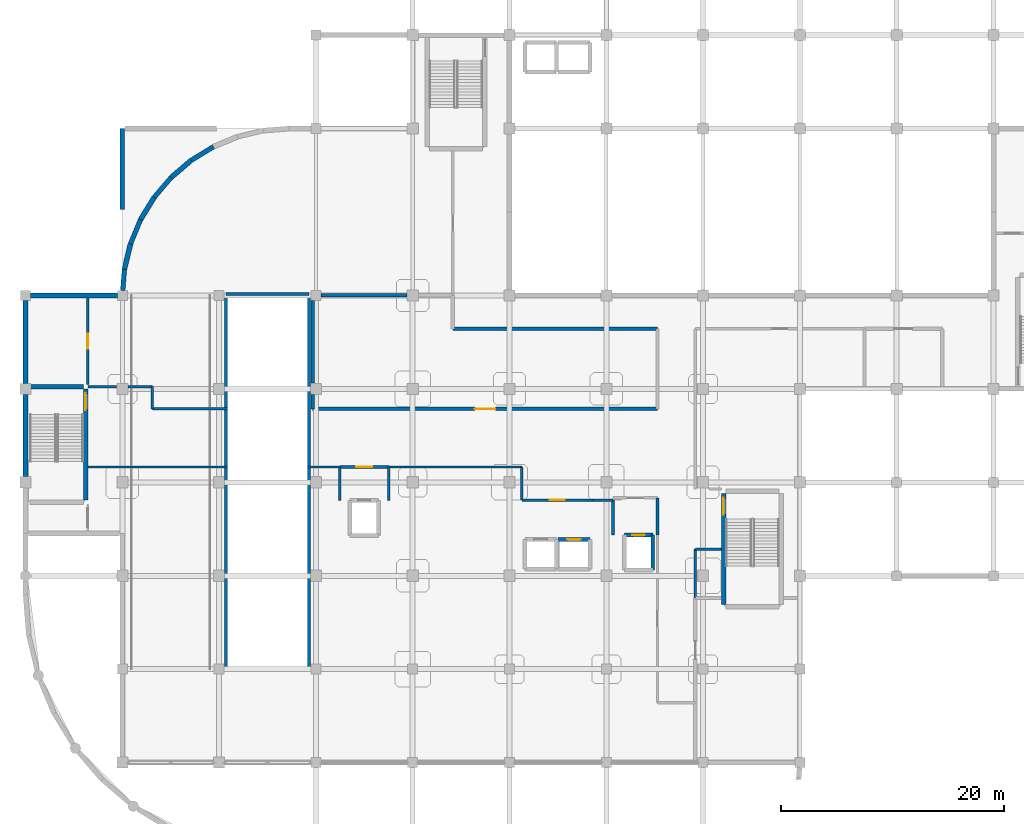
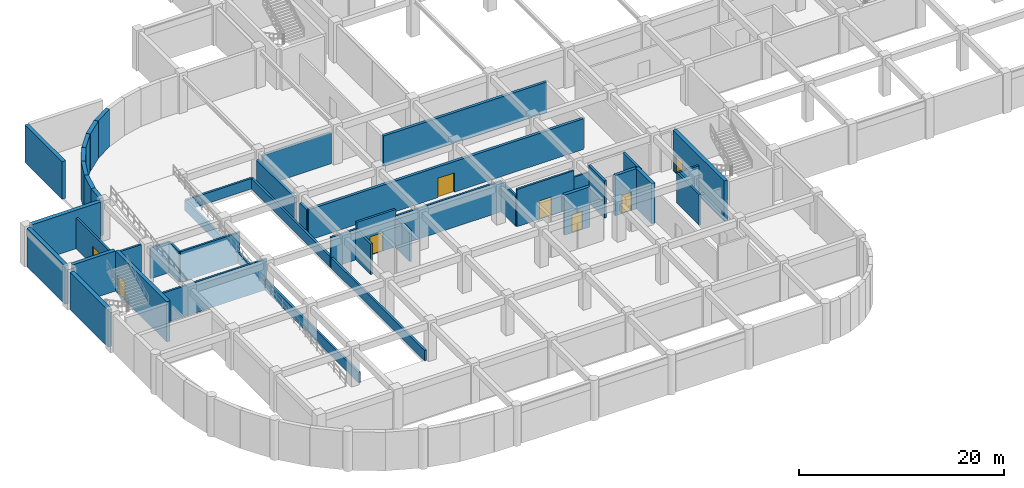
# One storey, part 11 of 19: 43 walls, 8 doors, 8 openings.
"""IFC4 building model written with IfcOpenShell, lengths in metres."""

from ifc_helpers import new_model, si_unit, derived_unit, direction, frame, frame_2d, origin, place, context, subcontext, project, spatial, rectangle, extrude, material, layer, layer_set, type_object, element, fill, save


model = new_model("IFC4")

# Units and contexts
model_context = context("Model", 3, precision=1e-05, world=origin(), true_north=direction((0.0, 1.0)))
body_context = subcontext(model_context, "Body", "Model", "MODEL_VIEW")
ifc_project = project(units=[si_unit("LENGTHUNIT", "METRE"), si_unit("AREAUNIT", "SQUARE_METRE"), si_unit("VOLUMEUNIT", "CUBIC_METRE"), si_unit("PLANEANGLEUNIT", "RADIAN"), si_unit("MASSUNIT", "GRAM", prefix="KILO"), derived_unit("THERMALTRANSMITTANCEUNIT", [(si_unit("MASSUNIT", "GRAM", prefix="KILO"), 1), (si_unit("TIMEUNIT", "SECOND"), -3), (si_unit("THERMODYNAMICTEMPERATUREUNIT", "KELVIN"), -1)])], contexts=[model_context])

# Site, building, storey
site_placement = place(None, origin())
site = spatial("IfcSite", under=ifc_project, at=site_placement, CompositionType="ELEMENT")
building_placement = place(site_placement, origin())
building = spatial("IfcBuilding", under=site, at=building_placement, Name="Qinzheling Arcade Emporium", CompositionType="ELEMENT")
storey_placement = place(building_placement, frame((0.0, 0.0, -4.800048828125)))
storey = spatial("IfcBuildingStorey", under=building, at=storey_placement, Name="B1", CompositionType="ELEMENT", Elevation=-4.800048828125)

# Wall, opening, door
ifc_material_1 = material(Name="Double-stud acoustic gypsum board partition")
ifc_layer_1 = layer(ifc_material_1, 0.215087890625, Name="Double-stud acoustic gypsum board partition")
ifc_layer_set_1 = layer_set([ifc_layer_1], Name="Double-stud acoustic gypsum board partition")
wall_type_1 = type_object("IfcWallType", Name="Acoustic Corridor Partition Wall 215", PredefinedType="PARTITIONING", material=ifc_layer_set_1)
wall_1_placement = place(storey_placement, frame((44.60009765625, 32.0, 0.0), z_axis=(0.0, 0.0, 1.0), x_axis=(1.0, 0.0, 0.0)))
wall_1 = element("IfcWall", 1, at=wall_1_placement, inside=storey, type_object=wall_type_1, Name="Interior Wall WL-B1-INT-0007", PredefinedType="PARTITIONING", context=body_context, shape_type="SweptSolid", body=[
    extrude(rectangle(XDim=6.39990234375, YDim=0.215087890625, at=frame_2d((3.199951171875, 0.0))), origin(), (0.0, 0.0, 1.0), 4.43994140625),
])
opening_1_placement = place(wall_1_placement, frame((2.52490234375, 0.0, 0.0)))
opening_1 = element("IfcOpeningElement", 2, at=opening_1_placement, cuts=wall_1, Name="Opening FD05", PredefinedType="OPENING", context=body_context, shape_type="SweptSolid", body=[
    extrude(rectangle(XDim=1.35009765625, YDim=2.199951171875, at=frame_2d((0.675048828125, 1.10009765625))), frame((0.0, 0.11767578125, 0.0), z_axis=(0.0, -1.0, 0.0), x_axis=(1.0, 0.0, 0.0)), (0.0, 0.0, 1.0), 0.235107421875),
])
ifc_material_2 = material(Name="Class B fire-rated stainless-clad door")
door_type_1 = type_object("IfcDoorType", Name="Kitchen Fire-Rated Service Door 1350x2200", OperationType="NOTDEFINED", PredefinedType="DOOR", material=ifc_material_2)
door_1_placement = place(opening_1_placement, origin())
door_1 = element("IfcDoor", 3, at=door_1_placement, inside=storey, type_object=door_type_1, Name="FD05 Interior Door DR-B1-INT-0003", OperationType="SINGLE_SWING_LEFT", OverallHeight=2.199951171875, OverallWidth=1.35009765625, PredefinedType="DOOR", context=body_context, shape_type="SweptSolid", body=[
    extrude(rectangle(XDim=1.35009765625, YDim=2.199951171875, at=frame_2d((0.675048828125, 1.10009765625))), frame((0.0, 0.02490234375, 0.0), z_axis=(0.0, -1.0, 0.0), x_axis=(1.0, 0.0, 0.0)), (0.0, 0.0, 1.0), 0.050048828125),
])
fill(opening_1, door_1)

# Walls
wall_2_placement = place(storey_placement, frame((62.544921875, 27.60009765625, 0.0), z_axis=(0.0, 0.0, 1.0), x_axis=(-1.0, 0.0, 0.0)))
element("IfcWall", 4, at=wall_2_placement, inside=storey, type_object=wall_type_1, Name="Interior Wall WL-B1-INT-0017", PredefinedType="PARTITIONING", context=body_context, shape_type="SweptSolid", body=[
    extrude(rectangle(XDim=2.344970703125, YDim=0.215087890625, at=frame_2d((1.17236328125, 0.0))), origin(), (0.0, 0.0, 1.0), 3.650146484375),
])
wall_3_placement = place(storey_placement, frame((60.199951171875, 27.60009765625, 0.0), z_axis=(0.0, 0.0, 1.0), x_axis=(0.0, -1.0, 0.0)))
element("IfcWall", 5, at=wall_3_placement, inside=storey, type_object=wall_type_1, Name="Interior Wall WL-B1-INT-0018", PredefinedType="PARTITIONING", context=body_context, shape_type="SweptSolid", body=[
    extrude(rectangle(XDim=4.400146484375, YDim=0.215087890625, at=frame_2d((2.2001953125, 0.0))), origin(), (0.0, 0.0, 1.0), 3.650146484375),
])
wall_4_placement = place(storey_placement, frame((28.25, 34.97998046875, 0.0), z_axis=(0.0, 0.0, 1.0), x_axis=(-1.0, 0.0, 0.0)))
element("IfcWall", 6, at=wall_4_placement, inside=storey, type_object=wall_type_1, Name="Interior Wall WL-B1-INT-0022", PredefinedType="PARTITIONING", context=body_context, shape_type="SweptSolid", body=[
    extrude(rectangle(XDim=2.889892578125, YDim=0.215087890625, at=frame_2d((1.44482421875, 0.0))), origin(), (0.0, 0.0, 1.0), 3.650146484375),
])
wall_5_placement = place(storey_placement, frame((44.60009765625, 32.0, 0.0), z_axis=(0.0, 0.0, 1.0), x_axis=(0.0, 1.0, 0.0)))
element("IfcWall", 7, at=wall_5_placement, inside=storey, type_object=wall_type_1, Name="Interior Wall WL-B1-INT-0023", PredefinedType="PARTITIONING", context=body_context, shape_type="SweptSolid", body=[
    extrude(rectangle(XDim=2.97998046875, YDim=0.215087890625, at=frame_2d((1.489990234375, 0.0))), origin(), (0.0, 0.0, 1.0), 3.650146484375),
])
wall_6_placement = place(storey_placement, frame((44.60009765625, 34.97998046875, 0.0), z_axis=(0.0, 0.0, 1.0), x_axis=(-1.0, 0.0, 0.0)))
element("IfcWall", 8, at=wall_6_placement, inside=storey, type_object=wall_type_1, Name="Interior Wall WL-B1-INT-0024", PredefinedType="PARTITIONING", context=body_context, shape_type="SweptSolid", body=[
    extrude(rectangle(XDim=11.9501953125, YDim=0.215087890625, at=frame_2d((5.97509765625, 0.0))), origin(), (0.0, 0.0, 1.0), 3.650146484375),
])
wall_7_placement = place(storey_placement, frame((52.800048828125, 32.0, 0.0), z_axis=(0.0, 0.0, 1.0), x_axis=(-1.0, 0.0, 0.0)))
element("IfcWall", 9, at=wall_7_placement, inside=storey, type_object=wall_type_1, Name="Interior Wall WL-B1-INT-0025", PredefinedType="PARTITIONING", context=body_context, shape_type="SweptSolid", body=[
    extrude(rectangle(XDim=1.800048828125, YDim=0.215087890625, at=frame_2d((0.89990234375, 0.0))), origin(), (0.0, 0.0, 1.0), 3.650146484375),
])
wall_8_placement = place(storey_placement, frame((18.139892578125, 34.97998046875, 0.0), z_axis=(0.0, 0.0, 1.0), x_axis=(-1.0, 0.0, 0.0)))
element("IfcWall", 10, at=wall_8_placement, inside=storey, type_object=wall_type_1, Name="Interior Wall WL-B1-INT-0029", PredefinedType="PARTITIONING", context=body_context, shape_type="SweptSolid", body=[
    extrude(rectangle(XDim=12.544921875, YDim=0.215087890625, at=frame_2d((6.2724609375, 0.0))), origin(), (0.0, 0.0, 1.0), 3.650146484375),
])
wall_9_placement = place(storey_placement, frame((5.590087890625, 42.199951171875, 0.0), z_axis=(0.0, 0.0, 1.0), x_axis=(1.0, 0.0, 0.0)))
element("IfcWall", 11, at=wall_9_placement, inside=storey, type_object=wall_type_1, Name="Interior Wall WL-B1-INT-0030", PredefinedType="PARTITIONING", context=body_context, shape_type="SweptSolid", body=[
    extrude(rectangle(XDim=2.599853515625, YDim=0.215087890625, at=frame_2d((1.2998046875, 0.0))), origin(), (0.0, 0.0, 1.0), 4.43994140625),
])
wall_10_placement = place(storey_placement, frame((9.2099609375, 42.199951171875, 0.0), z_axis=(0.0, 0.0, 1.0), x_axis=(1.0, 0.0, 0.0)))
element("IfcWall", 12, at=wall_10_placement, inside=storey, type_object=wall_type_1, Name="Interior Wall WL-B1-INT-0031", PredefinedType="PARTITIONING", context=body_context, shape_type="SweptSolid", body=[
    extrude(rectangle(XDim=2.18994140625, YDim=0.215087890625, at=frame_2d((1.094970703125, 0.0))), origin(), (0.0, 0.0, 1.0), 3.650146484375),
])
wall_11_placement = place(storey_placement, frame((11.39990234375, 42.199951171875, 0.0), z_axis=(0.0, 0.0, 1.0), x_axis=(0.0, -1.0, 0.0)))
element("IfcWall", 13, at=wall_11_placement, inside=storey, type_object=wall_type_1, Name="Interior Wall WL-B1-INT-0032", PredefinedType="PARTITIONING", context=body_context, shape_type="SweptSolid", body=[
    extrude(rectangle(XDim=2.0, YDim=0.215087890625, at=frame_2d((1.0, 0.0))), origin(), (0.0, 0.0, 1.0), 3.650146484375),
])
wall_12_placement = place(storey_placement, frame((11.39990234375, 40.199951171875, 0.0), z_axis=(0.0, 0.0, 1.0), x_axis=(1.0, 0.0, 0.0)))
element("IfcWall", 14, at=wall_12_placement, inside=storey, type_object=wall_type_1, Name="Interior Wall WL-B1-INT-0033", PredefinedType="PARTITIONING", context=body_context, shape_type="SweptSolid", body=[
    extrude(rectangle(XDim=6.739990234375, YDim=0.215087890625, at=frame_2d((3.3701171875, 0.0))), origin(), (0.0, 0.0, 1.0), 3.650146484375),
])

# Wall, opening, door
wall_13_placement = place(storey_placement, frame((5.590087890625, 50.169921875, 0.0), z_axis=(0.0, 0.0, 1.0), x_axis=(0.0, -1.0, 0.0)))
wall_13 = element("IfcWall", 15, at=wall_13_placement, inside=storey, type_object=wall_type_1, Name="Interior Wall WL-B1-INT-0035", PredefinedType="PARTITIONING", context=body_context, shape_type="SweptSolid", body=[
    extrude(rectangle(XDim=7.77001953125, YDim=0.215087890625, at=frame_2d((3.885009765625, 0.0))), origin(), (0.0, 0.0, 1.0), 3.650146484375),
])
opening_2_placement = place(wall_13_placement, frame((3.2099609375, 0.0, 0.0)))
opening_2 = element("IfcOpeningElement", 16, at=opening_2_placement, cuts=wall_13, Name="Opening FD05", PredefinedType="OPENING", context=body_context, shape_type="SweptSolid", body=[
    extrude(rectangle(XDim=1.35009765625, YDim=2.199951171875, at=frame_2d((0.675048828125, 1.10009765625))), frame((0.0, 0.11767578125, 0.0), z_axis=(0.0, -1.0, 0.0), x_axis=(1.0, 0.0, 0.0)), (0.0, 0.0, 1.0), 0.235107421875),
])
door_2_placement = place(opening_2_placement, origin())
door_2 = element("IfcDoor", 17, at=door_2_placement, inside=storey, type_object=door_type_1, Name="FD05 Interior Door DR-B1-INT-0013", OperationType="SINGLE_SWING_RIGHT", OverallHeight=2.199951171875, OverallWidth=1.35009765625, PredefinedType="DOOR", context=body_context, shape_type="SweptSolid", body=[
    extrude(rectangle(XDim=1.35009765625, YDim=2.199951171875, at=frame_2d((0.675048828125, 1.10009765625))), frame((0.0, 0.02490234375, 0.0), z_axis=(0.0, -1.0, 0.0), x_axis=(1.0, 0.0, 0.0)), (0.0, 0.0, 1.0), 0.050048828125),
])
fill(opening_2, door_2)

# Walls
ifc_material_3 = material(Name="Concrete C40", Category="concrete")
ifc_layer_2 = layer(ifc_material_3, 0.419921875, Name="Concrete C40", Category="concrete")
ifc_layer_set_2 = layer_set([ifc_layer_2], Name="Concrete C40")
wall_type_2 = type_object("IfcWallType", Name="Basement Ramp Retaining Wall 420 C40", PredefinedType="USERDEFINED", material=ifc_layer_set_2)
wall_14_placement = place(storey_placement, frame((0.0, 42.501953125, 0.0), z_axis=(0.0, 0.0, 1.0), x_axis=(0.0, 1.0, 0.0)))
element("IfcWall", 18, at=wall_14_placement, inside=storey, type_object=wall_type_2, Name="Retaining Wall WL-B1-RW-198", ObjectType="RETAININGWALL", PredefinedType="USERDEFINED", context=body_context, shape_type="SweptSolid", body=[
    extrude(rectangle(XDim=7.446044921875, YDim=0.419921875, at=frame_2d((3.72314453125, 0.0))), origin(), (0.0, 0.0, 1.0), 4.580078125),
])
wall_15_placement = place(storey_placement, frame((8.736083984375, 50.85107421875, 0.0), z_axis=(0.0, 0.0, 1.0), x_axis=(0.078306322526, 0.996929345467, 0.0)))
element("IfcWall", 19, at=wall_15_placement, inside=storey, type_object=wall_type_2, Name="Retaining Wall WL-B1-RW-200", ObjectType="RETAININGWALL", PredefinedType="USERDEFINED", context=body_context, shape_type="SweptSolid", body=[
    extrude(rectangle(XDim=1.90185546875, YDim=0.419921875, at=frame_2d((0.950927734375, 0.0))), origin(), (0.0, 0.0, 1.0), 4.4599609375),
])
wall_16_placement = place(storey_placement, frame((9.43408203125, 55.034912109375, 0.0), z_axis=(0.0, 0.0, 1.0), x_axis=(0.382663195145, 0.923887914783, 0.0)))
element("IfcWall", 20, at=wall_16_placement, inside=storey, type_object=wall_type_2, Name="Retaining Wall WL-B1-RW-202", ObjectType="RETAININGWALL", PredefinedType="USERDEFINED", context=body_context, shape_type="SweptSolid", body=[
    extrude(rectangle(XDim=2.354248046875, YDim=0.419921875, at=frame_2d((1.17724609375, 0.0))), origin(), (0.0, 0.0, 1.0), 4.4599609375),
])
wall_17_placement = place(storey_placement, frame((11.56494140625, 59.217041015625, 0.0), z_axis=(0.0, 0.0, 1.0), x_axis=(0.649260916394, 0.760565751558, 0.0)))
element("IfcWall", 21, at=wall_17_placement, inside=storey, type_object=wall_type_2, Name="Retaining Wall WL-B1-RW-204", ObjectType="RETAININGWALL", PredefinedType="USERDEFINED", context=body_context, shape_type="SweptSolid", body=[
    extrude(rectangle(XDim=2.353515625, YDim=0.419921875, at=frame_2d((1.1767578125, 0.0))), origin(), (0.0, 0.0, 1.0), 4.4599609375),
])
wall_18_placement = place(storey_placement, frame((14.883056640625, 62.534912109375, 0.0), z_axis=(0.0, 0.0, 1.0), x_axis=(0.852604233849, 0.522557193447, 0.0)))
element("IfcWall", 22, at=wall_18_placement, inside=storey, type_object=wall_type_2, Name="Retaining Wall WL-B1-RW-206", ObjectType="RETAININGWALL", PredefinedType="USERDEFINED", context=body_context, shape_type="SweptSolid", body=[
    extrude(rectangle(XDim=2.353759765625, YDim=0.419921875, at=frame_2d((1.1767578125, 0.0))), origin(), (0.0, 0.0, 1.0), 4.4599609375),
])
ifc_material_4 = material(Name="Fire-rated double-stud gypsum and mineral wool wall")
ifc_layer_3 = layer(ifc_material_4, 0.2451171875, Name="Fire-rated double-stud gypsum and mineral wool wall")
ifc_layer_set_3 = layer_set([ifc_layer_3], Name="Fire-rated double-stud gypsum and mineral wool wall")
wall_type_3 = type_object("IfcWallType", Name="Firefighting Lobby Rated Wall 245", PredefinedType="STANDARD", material=ifc_layer_set_3)
wall_19_placement = place(storey_placement, frame((56.800048828125, 32.199951171875, 0.0), z_axis=(0.0, 0.0, 1.0), x_axis=(0.0, -1.0, 0.0)))
element("IfcWall", 23, at=wall_19_placement, inside=storey, type_object=wall_type_3, Name="Interior Wall WL-B1-INT-0002", PredefinedType="STANDARD", context=body_context, shape_type="SweptSolid", body=[
    extrude(rectangle(XDim=3.320068359375, YDim=0.2451171875, at=frame_2d((1.66015625, 0.0))), origin(), (0.0, 0.0, 1.0), 4.43994140625),
])
wall_20_placement = place(storey_placement, frame((52.800048828125, 28.8798828125, 0.0), z_axis=(0.0, 0.0, 1.0), x_axis=(0.0, 1.0, 0.0)))
element("IfcWall", 24, at=wall_20_placement, inside=storey, type_object=wall_type_3, Name="Interior Wall WL-B1-INT-0003", PredefinedType="STANDARD", context=body_context, shape_type="SweptSolid", body=[
    extrude(rectangle(XDim=3.1201171875, YDim=0.2451171875, at=frame_2d((1.56005859375, 0.0))), origin(), (0.0, 0.0, 1.0), 4.43994140625),
])

# Wall, opening, door
wall_21_placement = place(storey_placement, frame((28.25, 34.97998046875, 0.0), z_axis=(0.0, 0.0, 1.0), x_axis=(1.0, 0.0, 0.0)))
wall_21 = element("IfcWall", 25, at=wall_21_placement, inside=storey, type_object=wall_type_3, Name="Interior Wall WL-B1-INT-0004", PredefinedType="STANDARD", context=body_context, shape_type="SweptSolid", body=[
    extrude(rectangle(XDim=4.39990234375, YDim=0.2451171875, at=frame_2d((2.199951171875, 0.0))), origin(), (0.0, 0.0, 1.0), 4.43994140625),
])
opening_3_placement = place(wall_21_placement, frame((1.47509765625, 0.0, 0.0)))
opening_3 = element("IfcOpeningElement", 26, at=opening_3_placement, cuts=wall_21, Name="Opening FD02", PredefinedType="OPENING", context=body_context, shape_type="SweptSolid", body=[
    extrude(rectangle(XDim=1.449951171875, YDim=2.199951171875, at=frame_2d((0.72509765625, 1.10009765625))), frame((0.0, 0.132568359375, 0.0), z_axis=(0.0, -1.0, 0.0), x_axis=(1.0, 0.0, 0.0)), (0.0, 0.0, 1.0), 0.26513671875),
])
ifc_material_5 = material(Name="Class A fire-rated steel double door", Category="steel")
door_type_2 = type_object("IfcDoorType", Name="Firefighting Lobby Fire Door 1450x2200", OperationType="DOUBLE_DOOR_SINGLE_SWING", PredefinedType="DOOR", material=ifc_material_5)
door_3_placement = place(opening_3_placement, origin())
door_3 = element("IfcDoor", 27, at=door_3_placement, inside=storey, type_object=door_type_2, Name="FD02 Interior Door DR-B1-INT-0002", OperationType="DOUBLE_DOOR_SINGLE_SWING", OverallHeight=2.199951171875, OverallWidth=1.449951171875, PredefinedType="DOOR", context=body_context, shape_type="SweptSolid", body=[
    extrude(rectangle(XDim=1.449951171875, YDim=2.199951171875, at=frame_2d((0.72509765625, 1.10009765625))), frame((0.0, 0.02490234375, 0.0), z_axis=(0.0, -1.0, 0.0), x_axis=(1.0, 0.0, 0.0)), (0.0, 0.0, 1.0), 0.050048828125),
])
fill(opening_3, door_3)

# Walls
for number, where, z_axis, x_axis, name in (
    (28, (28.25, 31.97998046875, 0.0), (0.0, 0.0, 1.0), (0.0, 1.0, 0.0), "Interior Wall WL-B1-INT-0005"),
    (29, (32.64990234375, 34.97998046875, 0.0), (0.0, 0.0, 1.0), (0.0, -1.0, 0.0), "Interior Wall WL-B1-INT-0006"),
):
    element("IfcWall", number, at=place(storey_placement, frame(where, z_axis=z_axis, x_axis=x_axis)), inside=storey, type_object=wall_type_3, Name=name, PredefinedType="STANDARD", context=body_context, shape_type="SweptSolid", body=[
        extrude(rectangle(XDim=3.0, YDim=0.2451171875, at=frame_2d((1.5, 0.0))), origin(), (0.0, 0.0, 1.0), 3.650146484375),
    ])
ifc_layer_4 = layer(ifc_material_3, 0.409912109375, Name="Concrete C40", Category="concrete")
ifc_layer_set_4 = layer_set([ifc_layer_4], Name="Concrete C40")
wall_type_4 = type_object("IfcWallType", Name="Interior Basement Retaining Wall 410 C40", PredefinedType="USERDEFINED", material=ifc_layer_set_4)
wall_22_placement = place(storey_placement, frame((8.699951171875, 58.1279296875, 0.0), z_axis=(0.0, 0.0, 1.0), x_axis=(0.0, 1.0, 0.0)))
element("IfcWall", 30, at=wall_22_placement, inside=storey, type_object=wall_type_4, Name="Internal Basement Retaining Wall WL-B1-RW-302", ObjectType="RETAININGWALL", PredefinedType="USERDEFINED", context=body_context, shape_type="SweptSolid", body=[
    extrude(rectangle(XDim=7.27197265625, YDim=0.409912109375, at=frame_2d((3.635986328125, 0.0))), origin(), (0.0, 0.0, 1.0), 4.4599609375),
])

# Wall, opening, door
ifc_layer_5 = layer(ifc_material_3, 0.35009765625, Name="Concrete C40", Category="concrete")
ifc_layer_set_5 = layer_set([ifc_layer_5], Name="Concrete C40")
wall_type_5 = type_object("IfcWallType", Name="RC Lift Shaft Shear Wall 350 C40", PredefinedType="SHEAR", material=ifc_layer_set_5)
wall_23_placement = place(storey_placement, frame((53.824951171875, 28.875, 0.0), z_axis=(0.0, 0.0, 1.0), x_axis=(1.0, 0.0, 0.0)))
wall_23 = element("IfcWall", 31, at=wall_23_placement, inside=storey, type_object=wall_type_5, Name="Lift Shaft Wall WL-B1-LFT-LF01-N", PredefinedType="SHEAR", context=body_context, shape_type="SweptSolid", body=[
    extrude(rectangle(XDim=2.550048828125, YDim=0.35009765625, at=frame_2d((1.27490234375, 0.0))), origin(), (0.0, 0.0, 1.0), 4.800048828125),
])
opening_4_placement = place(wall_23_placement, frame((0.72509765625, 0.0, 0.0)))
opening_4 = element("IfcOpeningElement", 32, at=opening_4_placement, cuts=wall_23, Name="Opening LD01", PredefinedType="OPENING", context=body_context, shape_type="SweptSolid", body=[
    extrude(rectangle(XDim=1.10009765625, YDim=2.199951171875, at=frame_2d((0.550048828125, 1.10009765625))), frame((0.0, 0.18505859375, 0.0), z_axis=(0.0, -1.0, 0.0), x_axis=(1.0, 0.0, 0.0)), (0.0, 0.0, 1.0), 0.3701171875),
])
ifc_material_6 = material(Name="Fire-rated stainless steel sliding lift door", Category="steel")
door_type_3 = type_object("IfcDoorType", Name="Firefighting Lift Sliding Landing Door 1100x2200", OperationType="DOUBLE_DOOR_SLIDING", PredefinedType="DOOR", material=ifc_material_6)
door_4_placement = place(opening_4_placement, origin())
door_4 = element("IfcDoor", 33, at=door_4_placement, inside=storey, type_object=door_type_3, Name="LD01 Lift Landing Door LF01 B1", OperationType="DOUBLE_DOOR_SLIDING", OverallHeight=2.199951171875, OverallWidth=1.10009765625, PredefinedType="DOOR", context=body_context, shape_type="SweptSolid", body=[
    extrude(rectangle(XDim=1.10009765625, YDim=2.199951171875, at=frame_2d((0.550048828125, 1.10009765625))), frame((0.0, 0.02490234375, 0.0), z_axis=(0.0, -1.0, 0.0), x_axis=(1.0, 0.0, 0.0)), (0.0, 0.0, 1.0), 0.050048828125),
])
fill(opening_4, door_4)

# Wall
wall_24_placement = place(storey_placement, frame((56.375, 28.875, 0.0), z_axis=(0.0, 0.0, 1.0), x_axis=(0.0, -1.0, 0.0)))
element("IfcWall", 34, at=wall_24_placement, inside=storey, type_object=wall_type_5, Name="Lift Shaft Wall WL-B1-LFT-LF01-E", PredefinedType="SHEAR", context=body_context, shape_type="SweptSolid", body=[
    extrude(rectangle(XDim=3.14990234375, YDim=0.35009765625, at=frame_2d((1.574951171875, 0.0))), origin(), (0.0, 0.0, 1.0), 4.800048828125),
])

# Wall, opening, door
wall_25_placement = place(storey_placement, frame((47.875, 28.47509765625, 0.0), z_axis=(0.0, 0.0, 1.0), x_axis=(1.0, 0.0, 0.0)))
wall_25 = element("IfcWall", 35, at=wall_25_placement, inside=storey, type_object=wall_type_5, Name="Lift Shaft Wall WL-B1-LFT-LP02-N", PredefinedType="SHEAR", context=body_context, shape_type="SweptSolid", body=[
    extrude(rectangle(XDim=2.85009765625, YDim=0.35009765625, at=frame_2d((1.425048828125, 0.0))), origin(), (0.0, 0.0, 1.0), 4.800048828125),
])
opening_5_placement = place(wall_25_placement, frame((0.824951171875, 0.0, 0.0)))
opening_5 = element("IfcOpeningElement", 36, at=opening_5_placement, cuts=wall_25, Name="Opening LD02", PredefinedType="OPENING", context=body_context, shape_type="SweptSolid", body=[
    extrude(rectangle(XDim=1.199951171875, YDim=2.199951171875, at=frame_2d((0.60009765625, 1.10009765625))), frame((0.0, 0.18505859375, 0.0), z_axis=(0.0, -1.0, 0.0), x_axis=(1.0, 0.0, 0.0)), (0.0, 0.0, 1.0), 0.3701171875),
])
ifc_material_7 = material(Name="Brushed bronze stainless sliding lift door")
door_type_4 = type_object("IfcDoorType", Name="Passenger Lift Sliding Landing Door 1200x2200", OperationType="DOUBLE_DOOR_SLIDING", PredefinedType="DOOR", material=ifc_material_7)
door_5_placement = place(opening_5_placement, origin())
door_5 = element("IfcDoor", 37, at=door_5_placement, inside=storey, type_object=door_type_4, Name="LD02 Lift Landing Door LP02 B1", OperationType="DOUBLE_DOOR_SLIDING", OverallHeight=2.199951171875, OverallWidth=1.199951171875, PredefinedType="DOOR", context=body_context, shape_type="SweptSolid", body=[
    extrude(rectangle(XDim=1.199951171875, YDim=2.199951171875, at=frame_2d((0.60009765625, 1.10009765625))), frame((0.0, 0.02490234375, 0.0), z_axis=(0.0, -1.0, 0.0), x_axis=(1.0, 0.0, 0.0)), (0.0, 0.0, 1.0), 0.050048828125),
])
fill(opening_5, door_5)

ifc_material_8 = material(Name="Concrete C50", Category="concrete")
ifc_layer_6 = layer(ifc_material_8, 0.39990234375, Name="Concrete C50", Category="concrete")
ifc_layer_set_6 = layer_set([ifc_layer_6], Name="Concrete C50")
wall_type_6 = type_object("IfcWallType", Name="RC Stair Core Shear Wall 400 C50", PredefinedType="SHEAR", material=ifc_layer_set_6)
wall_26_placement = place(storey_placement, frame((62.75, 22.60009765625, 0.0), z_axis=(0.0, 0.0, 1.0), x_axis=(0.0, 1.0, 0.0)))
wall_26 = element("IfcWall", 38, at=wall_26_placement, inside=storey, type_object=wall_type_6, Name="Stair Core Wall WL-B1-ST01-WEST", PredefinedType="SHEAR", context=body_context, shape_type="SweptSolid", body=[
    extrude(rectangle(XDim=10.0, YDim=0.39990234375, at=frame_2d((5.0, 0.0))), origin(), (0.0, 0.0, 1.0), 4.800048828125),
])
opening_6_placement = place(wall_26_placement, frame((8.090087890625, 0.0, 0.0)))
opening_6 = element("IfcOpeningElement", 39, at=opening_6_placement, cuts=wall_26, Name="Opening FD01", PredefinedType="OPENING", context=body_context, shape_type="SweptSolid", body=[
    extrude(rectangle(XDim=1.5, YDim=2.199951171875, at=frame_2d((0.75, 1.10009765625))), frame((0.0, 0.2099609375, 0.0), z_axis=(0.0, -1.0, 0.0), x_axis=(1.0, 0.0, 0.0)), (0.0, 0.0, 1.0), 0.419921875),
])
door_type_5 = type_object("IfcDoorType", Name="Stairwell Smoke-Proof Fire Door 1500x2200", OperationType="DOUBLE_DOOR_SINGLE_SWING", PredefinedType="DOOR", material=ifc_material_5)
door_6_placement = place(opening_6_placement, origin())
door_6 = element("IfcDoor", 40, at=door_6_placement, inside=storey, type_object=door_type_5, Name="FD01 Stairwell Fire Door DR-B1-ST01-FD", OperationType="DOUBLE_DOOR_SINGLE_SWING", OverallHeight=2.199951171875, OverallWidth=1.5, PredefinedType="DOOR", context=body_context, shape_type="SweptSolid", body=[
    extrude(rectangle(XDim=1.5, YDim=2.199951171875, at=frame_2d((0.75, 1.10009765625))), frame((0.0, 0.02490234375, 0.0), z_axis=(0.0, -1.0, 0.0), x_axis=(1.0, 0.0, 0.0)), (0.0, 0.0, 1.0), 0.050048828125),
])
fill(opening_6, door_6)

wall_27_placement = place(storey_placement, frame((5.389892578125, 42.0, 0.0), z_axis=(0.0, 0.0, 1.0), x_axis=(0.0, -1.0, 0.0)))
wall_27 = element("IfcWall", 41, at=wall_27_placement, inside=storey, type_object=wall_type_6, Name="Stair Core Wall WL-B1-ST02-EAST", PredefinedType="SHEAR", context=body_context, shape_type="SweptSolid", body=[
    extrude(rectangle(XDim=10.0, YDim=0.39990234375, at=frame_2d((5.0, 0.0))), origin(), (0.0, 0.0, 1.0), 4.800048828125),
])
opening_7_placement = place(wall_27_placement, frame((0.409912109375, 0.0, 0.0)))
opening_7 = element("IfcOpeningElement", 42, at=opening_7_placement, cuts=wall_27, Name="Opening FD01", PredefinedType="OPENING", context=body_context, shape_type="SweptSolid", body=[
    extrude(rectangle(XDim=1.5, YDim=2.199951171875, at=frame_2d((0.75, 1.10009765625))), frame((0.0, 0.2099609375, 0.0), z_axis=(0.0, -1.0, 0.0), x_axis=(1.0, 0.0, 0.0)), (0.0, 0.0, 1.0), 0.419921875),
])
door_7_placement = place(opening_7_placement, origin())
door_7 = element("IfcDoor", 43, at=door_7_placement, inside=storey, type_object=door_type_5, Name="FD01 Stairwell Fire Door DR-B1-ST02-FD", OperationType="DOUBLE_DOOR_SINGLE_SWING", OverallHeight=2.199951171875, OverallWidth=1.5, PredefinedType="DOOR", context=body_context, shape_type="SweptSolid", body=[
    extrude(rectangle(XDim=1.5, YDim=2.199951171875, at=frame_2d((0.75, 1.10009765625))), frame((0.0, 0.02490234375, 0.0), z_axis=(0.0, -1.0, 0.0), x_axis=(1.0, 0.0, 0.0)), (0.0, 0.0, 1.0), 0.050048828125),
])
fill(opening_7, door_7)

# Walls
wall_28_placement = place(storey_placement, frame((0.39990234375, 42.199951171875, 0.0), z_axis=(0.0, 0.0, 1.0), x_axis=(1.0, 0.0, 0.0)))
element("IfcWall", 44, at=wall_28_placement, inside=storey, type_object=wall_type_6, Name="Stair Core Wall WL-B1-ST02-NORTH", PredefinedType="SHEAR", context=body_context, shape_type="SweptSolid", body=[
    extrude(rectangle(XDim=4.7900390625, YDim=0.39990234375, at=frame_2d((2.39501953125, 0.0))), origin(), (0.0, 0.0, 1.0), 4.800048828125),
])
ifc_layer_7 = layer(ifc_material_3, 0.235107421875, Name="Concrete C40", Category="concrete")
ifc_layer_set_7 = layer_set([ifc_layer_7], Name="Concrete C40")
wall_type_7 = type_object("IfcWallType", Name="Ramp Opening Protective Curb Wall 235", PredefinedType="PARTITIONING", material=ifc_layer_set_7)
for number, where, z_axis, x_axis, name in (
    (45, (18.02001953125, 16.632080078125, 0.0), (0.0, 0.0, 1.0), (0.0, 1.0, 0.0), "Ramp Void Protective Wall WL-B1-RMPCURB-RAMP-VR2-W"),
    (46, (25.47998046875, 16.632080078125, 0.0), (0.0, 0.0, 1.0), (0.0, 1.0, 0.0), "Ramp Void Protective Wall WL-B1-RMPCURB-RAMP-VR2-E"),
):
    element("IfcWall", number, at=place(storey_placement, frame(where, z_axis=z_axis, x_axis=x_axis)), inside=storey, type_object=wall_type_7, Name=name, PredefinedType="PARTITIONING", context=body_context, shape_type="SweptSolid", body=[
        extrude(rectangle(XDim=33.89794921875, YDim=0.235107421875, at=frame_2d((16.948974609375, 0.0))), origin(), (0.0, 0.0, 1.0), 1.25),
    ])
wall_29_placement = place(storey_placement, frame((18.02001953125, 50.530029296875, 0.0), z_axis=(0.0, 0.0, 1.0), x_axis=(1.0, 0.0, 0.0)))
element("IfcWall", 47, at=wall_29_placement, inside=storey, type_object=wall_type_7, Name="Ramp Void Protective Wall WL-B1-RMPCURB-RAMP-VR2-N", PredefinedType="PARTITIONING", context=body_context, shape_type="SweptSolid", body=[
    extrude(rectangle(XDim=7.4599609375, YDim=0.235107421875, at=frame_2d((3.72998046875, 0.0))), origin(), (0.0, 0.0, 1.0), 1.25),
])

# Wall, opening, door
ifc_material_9 = material(Name="Autoclaved aerated concrete masonry with fire plaster", Category="masonry")
ifc_layer_8 = layer(ifc_material_9, 0.31005859375, Name="Autoclaved aerated concrete masonry with fire plaster", Category="masonry")
ifc_layer_set_8 = layer_set([ifc_layer_8], Name="Autoclaved aerated concrete masonry with fire plaster")
wall_type_8 = type_object("IfcWallType", Name="Retail Compartment Fire Wall 310 C40", PredefinedType="STANDARD", material=ifc_layer_set_8)
wall_30_placement = place(storey_placement, frame((25.800048828125, 40.199951171875, 0.0), z_axis=(0.0, 0.0, 1.0), x_axis=(1.0, 0.0, 0.0)))
wall_30 = element("IfcWall", 48, at=wall_30_placement, inside=storey, type_object=wall_type_8, Name="Interior Wall WL-B1-INT-0012", PredefinedType="STANDARD", context=body_context, shape_type="SweptSolid", body=[
    extrude(rectangle(XDim=31.0, YDim=0.31005859375, at=frame_2d((15.5, 0.0))), origin(), (0.0, 0.0, 1.0), 3.650146484375),
])
opening_8_placement = place(wall_30_placement, frame((14.574951171875, 0.0, 0.0)))
opening_8 = element("IfcOpeningElement", 49, at=opening_8_placement, cuts=wall_30, Name="Opening FD03", PredefinedType="OPENING", context=body_context, shape_type="SweptSolid", body=[
    extrude(rectangle(XDim=1.85009765625, YDim=2.300048828125, at=frame_2d((0.925048828125, 1.14990234375))), frame((0.0, 0.1650390625, 0.0), z_axis=(0.0, -1.0, 0.0), x_axis=(1.0, 0.0, 0.0)), (0.0, 0.0, 1.0), 0.330078125),
])
door_type_6 = type_object("IfcDoorType", Name="Stockroom Double Fire Door 1850x2300", OperationType="DOUBLE_DOOR_SINGLE_SWING", PredefinedType="DOOR", material=ifc_material_5)
door_8_placement = place(opening_8_placement, origin())
door_8 = element("IfcDoor", 50, at=door_8_placement, inside=storey, type_object=door_type_6, Name="FD03 Interior Door DR-B1-INT-0007", OperationType="DOUBLE_DOOR_SINGLE_SWING", OverallHeight=2.300048828125, OverallWidth=1.85009765625, PredefinedType="DOOR", context=body_context, shape_type="SweptSolid", body=[
    extrude(rectangle(XDim=1.85009765625, YDim=2.300048828125, at=frame_2d((0.925048828125, 1.14990234375))), frame((0.0, 0.02490234375, 0.0), z_axis=(0.0, -1.0, 0.0), x_axis=(1.0, 0.0, 0.0)), (0.0, 0.0, 1.0), 0.050048828125),
])
fill(opening_8, door_8)

# Walls
wall_31_placement = place(storey_placement, frame((56.800048828125, 47.39990234375, 0.0), z_axis=(0.0, 0.0, 1.0), x_axis=(-1.0, 0.0, 0.0)))
element("IfcWall", 51, at=wall_31_placement, inside=storey, type_object=wall_type_8, Name="Interior Wall WL-B1-INT-0014", PredefinedType="STANDARD", context=body_context, shape_type="SweptSolid", body=[
    extrude(rectangle(XDim=18.400146484375, YDim=0.31005859375, at=frame_2d((9.2001953125, 0.0))), origin(), (0.0, 0.0, 1.0), 3.650146484375),
])
wall_32_placement = place(storey_placement, frame((25.800048828125, 40.199951171875, 0.0), z_axis=(0.0, 0.0, 1.0), x_axis=(0.0, 1.0, 0.0)))
element("IfcWall", 52, at=wall_32_placement, inside=storey, type_object=wall_type_8, Name="Interior Wall WL-B1-INT-0041", PredefinedType="STANDARD", context=body_context, shape_type="SweptSolid", body=[
    extrude(rectangle(XDim=1.2900390625, YDim=0.31005859375, at=frame_2d((0.64501953125, 0.0))), origin(), (0.0, 0.0, 1.0), 3.650146484375),
])
wall_33_placement = place(storey_placement, frame((25.800048828125, 42.510009765625, 0.0), z_axis=(0.0, 0.0, 1.0), x_axis=(0.0, 1.0, 0.0)))
element("IfcWall", 53, at=wall_33_placement, inside=storey, type_object=wall_type_8, Name="Interior Wall WL-B1-INT-0042", PredefinedType="STANDARD", context=body_context, shape_type="SweptSolid", body=[
    extrude(rectangle(XDim=7.429931640625, YDim=0.31005859375, at=frame_2d((3.71484375, 0.0))), origin(), (0.0, 0.0, 1.0), 3.650146484375),
])
wall_34_placement = place(storey_placement, frame((26.56005859375, 50.39990234375, 0.0), z_axis=(0.0, 0.0, 1.0), x_axis=(1.0, 0.0, 0.0)))
element("IfcWall", 54, at=wall_34_placement, inside=storey, type_object=wall_type_8, Name="Interior Wall WL-B1-INT-0043", PredefinedType="STANDARD", context=body_context, shape_type="SweptSolid", body=[
    extrude(rectangle(XDim=7.72998046875, YDim=0.31005859375, at=frame_2d((3.864990234375, 0.0))), origin(), (0.0, 0.0, 1.0), 3.650146484375),
])
ifc_layer_9 = layer(ifc_material_3, 0.449951171875, Name="Concrete C40", Category="concrete")
ifc_layer_set_9 = layer_set([ifc_layer_9], Name="Concrete C40")
wall_type_9 = type_object("IfcWallType", Name="Waterproof Basement Retaining Wall 450 C40", PredefinedType="USERDEFINED", material=ifc_layer_set_9)
wall_35_placement = place(storey_placement, frame((0.0, 34.10205078125, 0.0), z_axis=(0.0, 0.0, 1.0), x_axis=(0.0, 1.0, 0.0)))
element("IfcWall", 55, at=wall_35_placement, inside=storey, type_object=wall_type_9, Name="Retaining Wall WL-B1-RW-197", ObjectType="RETAININGWALL", PredefinedType="USERDEFINED", context=body_context, shape_type="SweptSolid", body=[
    extrude(rectangle(XDim=7.39599609375, YDim=0.449951171875, at=frame_2d((3.697998046875, 0.0))), origin(), (0.0, 0.0, 1.0), 4.4599609375),
])
wall_36_placement = place(storey_placement, frame((0.451904296875, 50.39990234375, 0.0), z_axis=(0.0, 0.0, 1.0), x_axis=(1.0, 0.0, 0.0)))
element("IfcWall", 56, at=wall_36_placement, inside=storey, type_object=wall_type_9, Name="Retaining Wall WL-B1-RW-199", ObjectType="RETAININGWALL", PredefinedType="USERDEFINED", context=body_context, shape_type="SweptSolid", body=[
    extrude(rectangle(XDim=7.796142578125, YDim=0.449951171875, at=frame_2d((3.89794921875, 0.0))), origin(), (0.0, 0.0, 1.0), 4.580078125),
])
wall_37_placement = place(storey_placement, frame((8.885009765625, 52.7470703125, 0.0), z_axis=(0.0, 0.0, 1.0), x_axis=(0.233369027901, 0.97238824387, 0.0)))
element("IfcWall", 57, at=wall_37_placement, inside=storey, type_object=wall_type_9, Name="Retaining Wall WL-B1-RW-201", ObjectType="RETAININGWALL", PredefinedType="USERDEFINED", context=body_context, shape_type="SweptSolid", body=[
    extrude(rectangle(XDim=2.352783203125, YDim=0.449951171875, at=frame_2d((1.17626953125, 0.0))), origin(), (0.0, 0.0, 1.0), 4.4599609375),
])
wall_38_placement = place(storey_placement, frame((10.3349609375, 57.2099609375, 0.0), z_axis=(0.0, 0.0, 1.0), x_axis=(0.52251098453, 0.852632553358, 0.0)))
element("IfcWall", 58, at=wall_38_placement, inside=storey, type_object=wall_type_9, Name="Retaining Wall WL-B1-RW-203", ObjectType="RETAININGWALL", PredefinedType="USERDEFINED", context=body_context, shape_type="SweptSolid", body=[
    extrude(rectangle(XDim=2.35400390625, YDim=0.449951171875, at=frame_2d((1.177001953125, 0.0))), origin(), (0.0, 0.0, 1.0), 4.4599609375),
])
wall_39_placement = place(storey_placement, frame((13.093017578125, 61.007080078125, 0.0), z_axis=(0.0, 0.0, 1.0), x_axis=(0.760616976269, 0.649200905277, 0.0)))
element("IfcWall", 59, at=wall_39_placement, inside=storey, type_object=wall_type_9, Name="Retaining Wall WL-B1-RW-205", ObjectType="RETAININGWALL", PredefinedType="USERDEFINED", context=body_context, shape_type="SweptSolid", body=[
    extrude(rectangle(XDim=2.353515625, YDim=0.449951171875, at=frame_2d((1.1767578125, 0.0))), origin(), (0.0, 0.0, 1.0), 4.4599609375),
])

save(model, "model.ifc")
